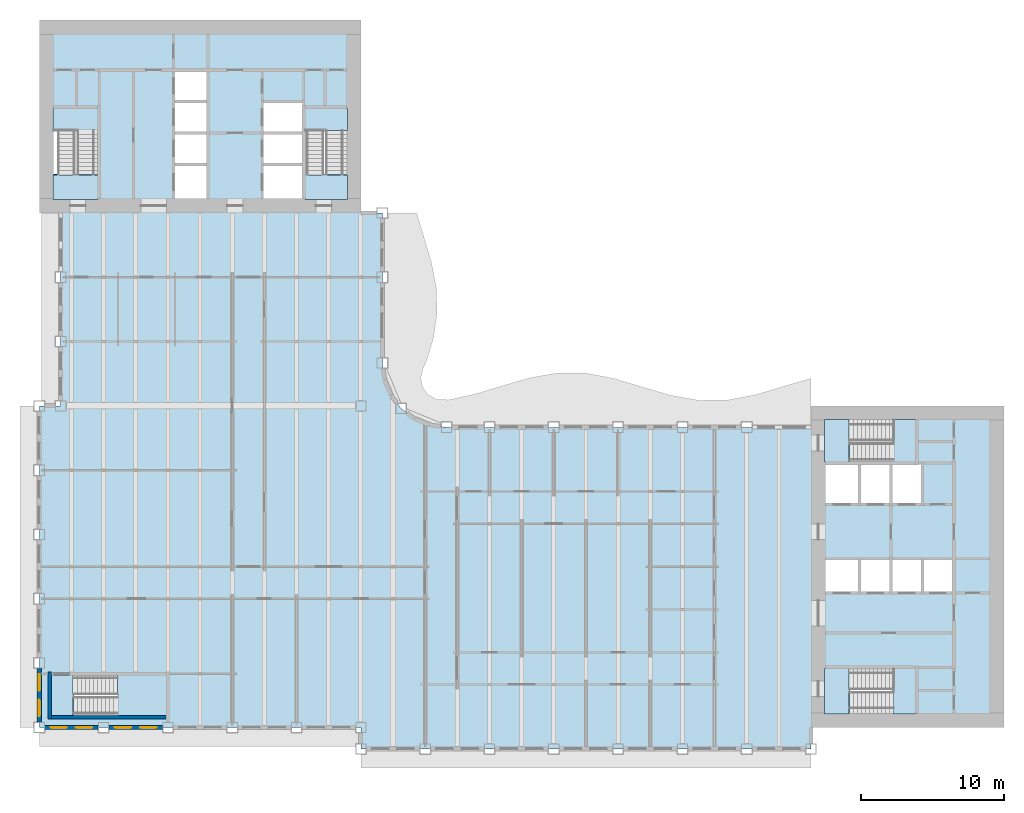
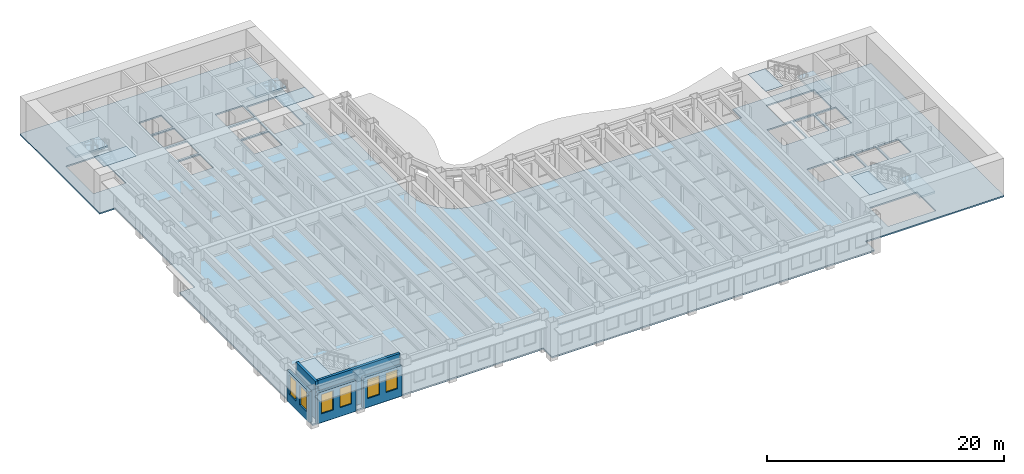
# One storey, part 2 of 16: 11 slabs, 6 windows, 5 walls, 6 openings, 5 elements without a shape of their own.
"""IFC4 building model written with IfcOpenShell, lengths in metres."""

from ifc_helpers import new_model, si_unit, direction, frame, frame_2d, origin, place, context, subcontext, project, spatial, polyline, rectangle, outline, extrude, material, layer, layer_set, type_object, element, fill, aggregate, save


model = new_model("IFC4")

# Units and contexts
model_context = context("Model", 3, precision=1e-05, world=origin(), true_north=direction((0.0, 1.0)))
body_context = subcontext(model_context, "Body", "Model", "MODEL_VIEW")
ifc_project = project(units=[si_unit("LENGTHUNIT", "METRE"), si_unit("AREAUNIT", "SQUARE_METRE"), si_unit("VOLUMEUNIT", "CUBIC_METRE"), si_unit("PLANEANGLEUNIT", "RADIAN"), si_unit("MASSUNIT", "GRAM", prefix="KILO")], contexts=[model_context])

# Site, building, storey
site_placement = place(None, origin())
site = spatial("IfcSite", under=ifc_project, at=site_placement, CompositionType="ELEMENT")
building_placement = place(site_placement, origin())
building = spatial("IfcBuilding", under=site, at=building_placement, Name="Sennacour Bend Tower", CompositionType="ELEMENT")
storey_placement = place(building_placement, frame((0.0, 0.0, 227.0)))
storey = spatial("IfcBuildingStorey", under=building, at=storey_placement, Name="L52", CompositionType="ELEMENT", Elevation=227.0)

# Slabs
ifc_material_1 = material(Name="Concrete C30/37", Category="concrete")
ifc_layer_1 = layer(ifc_material_1, 0.14990234375, Name="Concrete C30/37", Category="concrete")
ifc_layer_set_1 = layer_set([ifc_layer_1], Name="Concrete C30/37")
slab_type_1 = type_object("IfcSlabType", Name="Floor slab 150", PredefinedType="FLOOR", material=ifc_layer_set_1)
slab_1_placement = place(storey_placement, frame((0.0, 0.0, -0.14990234375)))
element("IfcSlab", 1, at=slab_1_placement, inside=storey, type_object=slab_type_1, Name="Floor slab L52-01", PredefinedType="FLOOR", context=body_context, shape_type="SweptSolid", body=[
    extrude(outline(polyline([(22.5, 0.0), (0.0, 0.0), (0.0, 22.5), (1.5, 22.5), (1.5, 36.0), (0.0, 36.0), (0.0, 49.5), (22.5, 49.5), (22.5, 36.0), (24.0, 36.0), (24.0, 25.5), (24.1533203125, 24.335205078125), (24.602783203125, 23.25), (25.318115234375, 22.318115234375), (26.25, 21.602783203125), (27.335205078125, 21.1533203125), (28.5, 21.0), (54.0, 21.0), (54.0, 22.5), (67.5, 22.5), (67.5, 0.0), (54.0, 0.0), (54.0, -1.5), (22.5, -1.5), (22.5, 0.0)]), holes=[polyline([(8.800048828125, 0.949951171875), (8.800048828125, 3.5), (2.429931640625, 3.5), (2.429931640625, 0.949951171875), (8.800048828125, 0.949951171875)]), polyline([(11.699951171875, 37.0), (11.699951171875, 39.300048828125), (9.5, 39.300048828125), (9.5, 37.0), (11.699951171875, 37.0)]), polyline([(18.39990234375, 37.0), (18.39990234375, 39.300048828125), (15.699951171875, 39.300048828125), (15.699951171875, 37.0), (18.39990234375, 37.0)]), polyline([(11.699951171875, 39.5), (11.699951171875, 41.5), (9.5, 41.5), (9.5, 39.5), (11.699951171875, 39.5)]), polyline([(18.39990234375, 39.5), (18.39990234375, 41.5), (15.699951171875, 41.5), (15.699951171875, 39.5), (18.39990234375, 39.5)]), polyline([(4.125, 38.72998046875), (4.125, 43.39990234375), (0.949951171875, 43.39990234375), (0.949951171875, 38.72998046875), (4.125, 38.72998046875)]), polyline([(21.550048828125, 38.72998046875), (21.550048828125, 43.39990234375), (18.574951171875, 43.39990234375), (18.574951171875, 38.72998046875), (21.550048828125, 38.72998046875)]), polyline([(9.5, 41.699951171875), (11.699951171875, 41.699951171875), (11.699951171875, 43.699951171875), (9.5, 43.699951171875), (9.5, 41.699951171875)]), polyline([(15.699951171875, 41.699951171875), (18.39990234375, 41.699951171875), (18.39990234375, 43.699951171875), (15.699951171875, 43.699951171875), (15.699951171875, 41.699951171875)]), polyline([(11.699951171875, 43.89990234375), (11.699951171875, 45.89990234375), (9.5, 45.89990234375), (9.5, 43.89990234375), (11.699951171875, 43.89990234375)]), polyline([(61.39990234375, 0.949951171875), (61.39990234375, 4.125), (56.72998046875, 4.125), (56.72998046875, 0.949951171875), (61.39990234375, 0.949951171875)]), polyline([(57.300048828125, 9.5), (57.300048828125, 11.699951171875), (55.0, 11.699951171875), (55.0, 9.5), (57.300048828125, 9.5)]), polyline([(57.5, 9.5), (59.5, 9.5), (59.5, 11.699951171875), (57.5, 11.699951171875), (57.5, 9.5)]), polyline([(59.699951171875, 9.5), (61.699951171875, 9.5), (61.699951171875, 11.699951171875), (59.699951171875, 11.699951171875), (59.699951171875, 9.5)]), polyline([(63.89990234375, 9.5), (63.89990234375, 11.699951171875), (61.89990234375, 11.699951171875), (61.89990234375, 9.5), (63.89990234375, 9.5)]), polyline([(57.300048828125, 15.699951171875), (57.300048828125, 18.39990234375), (55.0, 18.39990234375), (55.0, 15.699951171875), (57.300048828125, 15.699951171875)]), polyline([(59.5, 15.699951171875), (59.5, 18.39990234375), (57.5, 18.39990234375), (57.5, 15.699951171875), (59.5, 15.699951171875)]), polyline([(59.699951171875, 15.699951171875), (61.699951171875, 15.699951171875), (61.699951171875, 18.39990234375), (59.699951171875, 18.39990234375), (59.699951171875, 15.699951171875)]), polyline([(56.72998046875, 18.574951171875), (61.39990234375, 18.574951171875), (61.39990234375, 21.550048828125), (56.72998046875, 21.550048828125), (56.72998046875, 18.574951171875)])]), origin(), (0.0, 0.0, 1.0), 0.14990234375),
])
ifc_material_2 = material(Name="Concrete C40/50", Category="concrete")
ifc_layer_2 = layer(ifc_material_2, 0.034912109375, Name="Concrete C40/50", Category="concrete")
ifc_layer_set_2 = layer_set([ifc_layer_2], Name="Concrete C40/50")
slab_type_2 = type_object("IfcSlabType", Name="Stair arrival nib 35", PredefinedType="FLOOR", material=ifc_layer_set_2)
slab_2_placement = place(storey_placement, frame((0.0, 0.0, 3.815185546875)))
element("IfcSlab", 2, at=slab_2_placement, inside=storey, type_object=slab_type_2, Name="L52 SA1 stair arrival nib", PredefinedType="FLOOR", context=body_context, shape_type="SweptSolid", body=[
    extrude(outline(polyline([(56.64208984375, 4.125), (54.949951171875, 4.125), (54.949951171875, 0.949951171875), (56.64208984375, 0.949951171875), (56.64208984375, 4.125)])), origin(), (0.0, 0.0, 1.0), 0.034912109375),
])
slab_3_placement = place(storey_placement, frame((0.0, 0.0, 3.815185546875)))
element("IfcSlab", 3, at=slab_3_placement, inside=storey, type_object=slab_type_2, Name="L52 SA2 stair arrival nib", PredefinedType="FLOOR", context=body_context, shape_type="SweptSolid", body=[
    extrude(outline(polyline([(56.64208984375, 21.550048828125), (54.949951171875, 21.550048828125), (54.949951171875, 18.574951171875), (56.64208984375, 18.574951171875), (56.64208984375, 21.550048828125)])), origin(), (0.0, 0.0, 1.0), 0.034912109375),
])
slab_4_placement = place(storey_placement, frame((0.0, 0.0, 3.815185546875)))
element("IfcSlab", 4, at=slab_4_placement, inside=storey, type_object=slab_type_2, Name="L52 SB1 stair arrival nib", PredefinedType="FLOOR", context=body_context, shape_type="SweptSolid", body=[
    extrude(outline(polyline([(0.949951171875, 38.64208984375), (0.949951171875, 36.949951171875), (4.125, 36.949951171875), (4.125, 38.64208984375), (0.949951171875, 38.64208984375)])), origin(), (0.0, 0.0, 1.0), 0.034912109375),
])
slab_5_placement = place(storey_placement, frame((0.0, 0.0, 3.815185546875)))
element("IfcSlab", 5, at=slab_5_placement, inside=storey, type_object=slab_type_2, Name="L52 SB2 stair arrival nib", PredefinedType="FLOOR", context=body_context, shape_type="SweptSolid", body=[
    extrude(outline(polyline([(18.574951171875, 38.64208984375), (18.574951171875, 36.949951171875), (21.550048828125, 36.949951171875), (21.550048828125, 38.64208984375), (18.574951171875, 38.64208984375)])), origin(), (0.0, 0.0, 1.0), 0.034912109375),
])
slab_6_placement = place(storey_placement, frame((0.0, 0.0, 3.815185546875)))
element("IfcSlab", 6, at=slab_6_placement, inside=storey, type_object=slab_type_2, Name="L52 SK1 stair arrival nib", PredefinedType="FLOOR", context=body_context, shape_type="SweptSolid", body=[
    extrude(outline(polyline([(2.342041015625, 3.675048828125), (0.800048828125, 3.675048828125), (0.800048828125, 0.800048828125), (2.342041015625, 0.800048828125), (2.342041015625, 3.675048828125)])), origin(), (0.0, 0.0, 1.0), 0.034912109375),
])

# Stair, slab
stair_type = type_object("IfcStairType", Name="ST-DOGLEG", PredefinedType="HALF_TURN_STAIR", material=ifc_material_2)
stair_1_placement = place(storey_placement, origin())
stair_1 = element("IfcStair", 7, at=stair_1_placement, inside=storey, type_object=stair_type, Name="L52 Exit stair A1", PredefinedType="HALF_TURN_STAIR")
ifc_layer_3 = layer(ifc_material_2, 0.199951171875, Name="Concrete C40/50", Category="concrete")
ifc_layer_set_3 = layer_set([ifc_layer_3], Name="Concrete C40/50")
slab_type_3 = type_object("IfcSlabType", Name="Stair landing 200", PredefinedType="LANDING", material=ifc_layer_set_3)
slab_7_placement = place(storey_placement, frame((0.0, 0.0, 1.800048828125)))
slab_7 = element("IfcSlab", 8, at=slab_7_placement, type_object=slab_type_3, Name="SA1 landing 1", PredefinedType="LANDING", context=body_context, shape_type="SweptSolid", body=[
    extrude(outline(polyline([(59.780029296875, 0.949951171875), (61.324951171875, 0.949951171875), (61.324951171875, 4.125), (59.780029296875, 4.125), (59.780029296875, 0.949951171875)])), origin(), (0.0, 0.0, 1.0), 0.199951171875),
])
aggregate(stair_1, [slab_7])

stair_2_placement = place(storey_placement, origin())
stair_2 = element("IfcStair", 9, at=stair_2_placement, inside=storey, type_object=stair_type, Name="L52 Exit stair A2", PredefinedType="HALF_TURN_STAIR")
slab_8_placement = place(storey_placement, frame((0.0, 0.0, 1.800048828125)))
slab_8 = element("IfcSlab", 10, at=slab_8_placement, type_object=slab_type_3, Name="SA2 landing 1", PredefinedType="LANDING", context=body_context, shape_type="SweptSolid", body=[
    extrude(outline(polyline([(59.780029296875, 18.574951171875), (61.324951171875, 18.574951171875), (61.324951171875, 21.550048828125), (59.780029296875, 21.550048828125), (59.780029296875, 18.574951171875)])), origin(), (0.0, 0.0, 1.0), 0.199951171875),
])
aggregate(stair_2, [slab_8])

stair_3_placement = place(storey_placement, origin())
stair_3 = element("IfcStair", 11, at=stair_3_placement, inside=storey, type_object=stair_type, Name="L52 Exit stair B1", PredefinedType="HALF_TURN_STAIR")
slab_9_placement = place(storey_placement, frame((0.0, 0.0, 1.800048828125)))
slab_9 = element("IfcSlab", 12, at=slab_9_placement, type_object=slab_type_3, Name="SB1 landing 1", PredefinedType="LANDING", context=body_context, shape_type="SweptSolid", body=[
    extrude(outline(polyline([(0.949951171875, 41.780029296875), (4.125, 41.780029296875), (4.125, 43.324951171875), (0.949951171875, 43.324951171875), (0.949951171875, 41.780029296875)])), origin(), (0.0, 0.0, 1.0), 0.199951171875),
])
aggregate(stair_3, [slab_9])

stair_4_placement = place(storey_placement, origin())
stair_4 = element("IfcStair", 13, at=stair_4_placement, inside=storey, type_object=stair_type, Name="L52 Exit stair B2", PredefinedType="HALF_TURN_STAIR")
slab_10_placement = place(storey_placement, frame((0.0, 0.0, 1.800048828125)))
slab_10 = element("IfcSlab", 14, at=slab_10_placement, type_object=slab_type_3, Name="SB2 landing 1", PredefinedType="LANDING", context=body_context, shape_type="SweptSolid", body=[
    extrude(outline(polyline([(18.574951171875, 41.780029296875), (21.550048828125, 41.780029296875), (21.550048828125, 43.324951171875), (18.574951171875, 43.324951171875), (18.574951171875, 41.780029296875)])), origin(), (0.0, 0.0, 1.0), 0.199951171875),
])
aggregate(stair_4, [slab_10])

stair_5_placement = place(storey_placement, origin())
stair_5 = element("IfcStair", 15, at=stair_5_placement, inside=storey, type_object=stair_type, Name="L52 Exit stair K1", PredefinedType="HALF_TURN_STAIR")
slab_11_placement = place(storey_placement, frame((0.0, 0.0, 1.800048828125)))
slab_11 = element("IfcSlab", 16, at=slab_11_placement, type_object=slab_type_3, Name="SK1 landing 1", PredefinedType="LANDING", context=body_context, shape_type="SweptSolid", body=[
    extrude(outline(polyline([(5.47998046875, 0.800048828125), (8.925048828125, 0.800048828125), (8.925048828125, 3.675048828125), (5.47998046875, 3.675048828125), (5.47998046875, 0.800048828125)])), origin(), (0.0, 0.0, 1.0), 0.199951171875),
])
aggregate(stair_5, [slab_11])

# Wall, openings, windows
ifc_material_3 = material(Name="Warm limestone cladding", Category="masonry")
ifc_layer_4 = layer(ifc_material_3, 0.050048828125, Name="Warm limestone cladding", Category="masonry")
ifc_material_4 = material(Name="Precast concrete C40/50", Category="concrete")
ifc_layer_5 = layer(ifc_material_4, 0.25, Name="Precast concrete C40/50", Category="concrete")
ifc_layer_set_4 = layer_set([ifc_layer_4, ifc_layer_5], Name="Precast concrete C40/50 with limestone cladding")
wall_type_1 = type_object("IfcWallType", Name="STONE-CLAD PRECAST SPANDREL 300", PredefinedType="STANDARD", material=ifc_layer_set_4)
wall_1_placement = place(storey_placement, frame((0.0, 4.125, 0.0), z_axis=(0.0, 0.0, 1.0), x_axis=(0.0, -1.0, 0.0)))
wall_1 = element("IfcWall", 17, at=wall_1_placement, inside=storey, type_object=wall_type_1, Name="Stone spandrel and pier wall L52 21.04", PredefinedType="STANDARD", context=body_context, shape_type="SweptSolid", body=[
    extrude(rectangle(XDim=3.75, YDim=0.300048828125, at=frame_2d((1.875, 0.0))), origin(), (0.0, 0.0, 1.0), 3.156982421875),
])
opening_1_placement = place(wall_1_placement, frame((0.41259765625, 0.0, 0.89990234375)))
opening_1 = element("IfcOpeningElement", 18, at=opening_1_placement, cuts=wall_1, Name="Opening W24", PredefinedType="OPENING", context=body_context, shape_type="SweptSolid", body=[
    extrude(rectangle(XDim=1.14990234375, YDim=2.0, at=frame_2d((0.574951171875, 1.0))), frame((0.0, 0.16015625, 0.0), z_axis=(0.0, -1.0, 0.0), x_axis=(1.0, 0.0, 0.0)), (0.0, 0.0, 1.0), 0.320068359375),
])
opening_2_placement = place(wall_1_placement, frame((2.1875, 0.0, 0.89990234375)))
opening_2 = element("IfcOpeningElement", 19, at=opening_2_placement, cuts=wall_1, Name="Opening W24", PredefinedType="OPENING", context=body_context, shape_type="SweptSolid", body=[
    extrude(rectangle(XDim=1.14990234375, YDim=2.0, at=frame_2d((0.574951171875, 1.0))), frame((0.0, 0.16015625, 0.0), z_axis=(0.0, -1.0, 0.0), x_axis=(1.0, 0.0, 0.0)), (0.0, 0.0, 1.0), 0.320068359375),
])
ifc_material_5 = material(Name="Clear low-emissivity glass", Category="glass")
window_type = type_object("IfcWindowType", Name="WIN-RIBBON-1150x2000", PartitioningType="SINGLE_PANEL", PredefinedType="WINDOW", material=ifc_material_5)
window_1_placement = place(opening_1_placement, origin())
window_1 = element("IfcWindow", 20, at=window_1_placement, inside=storey, type_object=window_type, Name="Ribbon window L52 21.04.0", OverallHeight=2.0, OverallWidth=1.14990234375, PartitioningType="SINGLE_PANEL", PredefinedType="WINDOW", context=body_context, shape_type="SweptSolid", body=[
    extrude(rectangle(XDim=1.14990234375, YDim=2.0, at=frame_2d((0.574951171875, 1.0))), frame((0.0, 0.030029296875, 0.0), z_axis=(0.0, -1.0, 0.0), x_axis=(1.0, 0.0, 0.0)), (0.0, 0.0, 1.0), 0.06005859375),
])
fill(opening_1, window_1)
window_2_placement = place(opening_2_placement, origin())
window_2 = element("IfcWindow", 21, at=window_2_placement, inside=storey, type_object=window_type, Name="Ribbon window L52 21.04.1", OverallHeight=2.0, OverallWidth=1.14990234375, PartitioningType="SINGLE_PANEL", PredefinedType="WINDOW", context=body_context, shape_type="SweptSolid", body=[
    extrude(rectangle(XDim=1.14990234375, YDim=2.0, at=frame_2d((0.574951171875, 1.0))), frame((0.0, 0.030029296875, 0.0), z_axis=(0.0, -1.0, 0.0), x_axis=(1.0, 0.0, 0.0)), (0.0, 0.0, 1.0), 0.06005859375),
])
fill(opening_2, window_2)

wall_2_placement = place(storey_placement, frame((0.375, 0.0, 0.0), z_axis=(0.0, 0.0, 1.0), x_axis=(1.0, 0.0, 0.0)))
wall_2 = element("IfcWall", 22, at=wall_2_placement, inside=storey, type_object=wall_type_1, Name="Stone spandrel and pier wall L52 22.00", PredefinedType="STANDARD", context=body_context, shape_type="SweptSolid", body=[
    extrude(rectangle(XDim=3.75, YDim=0.300048828125, at=frame_2d((1.875, 0.0))), origin(), (0.0, 0.0, 1.0), 3.156982421875),
])
opening_3_placement = place(wall_2_placement, frame((0.41259765625, 0.0, 0.89990234375)))
opening_3 = element("IfcOpeningElement", 23, at=opening_3_placement, cuts=wall_2, Name="Opening W24", PredefinedType="OPENING", context=body_context, shape_type="SweptSolid", body=[
    extrude(rectangle(XDim=1.14990234375, YDim=2.0, at=frame_2d((0.574951171875, 1.0))), frame((0.0, 0.16015625, 0.0), z_axis=(0.0, -1.0, 0.0), x_axis=(1.0, 0.0, 0.0)), (0.0, 0.0, 1.0), 0.320068359375),
])
opening_4_placement = place(wall_2_placement, frame((2.1875, 0.0, 0.89990234375)))
opening_4 = element("IfcOpeningElement", 24, at=opening_4_placement, cuts=wall_2, Name="Opening W24", PredefinedType="OPENING", context=body_context, shape_type="SweptSolid", body=[
    extrude(rectangle(XDim=1.14990234375, YDim=2.0, at=frame_2d((0.574951171875, 1.0))), frame((0.0, 0.16015625, 0.0), z_axis=(0.0, -1.0, 0.0), x_axis=(1.0, 0.0, 0.0)), (0.0, 0.0, 1.0), 0.320068359375),
])
window_3_placement = place(opening_3_placement, origin())
window_3 = element("IfcWindow", 25, at=window_3_placement, inside=storey, type_object=window_type, Name="Ribbon window L52 22.00.0", OverallHeight=2.0, OverallWidth=1.14990234375, PartitioningType="SINGLE_PANEL", PredefinedType="WINDOW", context=body_context, shape_type="SweptSolid", body=[
    extrude(rectangle(XDim=1.14990234375, YDim=2.0, at=frame_2d((0.574951171875, 1.0))), frame((0.0, 0.030029296875, 0.0), z_axis=(0.0, -1.0, 0.0), x_axis=(1.0, 0.0, 0.0)), (0.0, 0.0, 1.0), 0.06005859375),
])
fill(opening_3, window_3)
window_4_placement = place(opening_4_placement, origin())
window_4 = element("IfcWindow", 26, at=window_4_placement, inside=storey, type_object=window_type, Name="Ribbon window L52 22.00.1", OverallHeight=2.0, OverallWidth=1.14990234375, PartitioningType="SINGLE_PANEL", PredefinedType="WINDOW", context=body_context, shape_type="SweptSolid", body=[
    extrude(rectangle(XDim=1.14990234375, YDim=2.0, at=frame_2d((0.574951171875, 1.0))), frame((0.0, 0.030029296875, 0.0), z_axis=(0.0, -1.0, 0.0), x_axis=(1.0, 0.0, 0.0)), (0.0, 0.0, 1.0), 0.06005859375),
])
fill(opening_4, window_4)

wall_3_placement = place(storey_placement, frame((4.875, 0.0, 0.0), z_axis=(0.0, 0.0, 1.0), x_axis=(1.0, 0.0, 0.0)))
wall_3 = element("IfcWall", 27, at=wall_3_placement, inside=storey, type_object=wall_type_1, Name="Stone spandrel and pier wall L52 22.01", PredefinedType="STANDARD", context=body_context, shape_type="SweptSolid", body=[
    extrude(rectangle(XDim=3.75, YDim=0.300048828125, at=frame_2d((1.875, 0.0))), origin(), (0.0, 0.0, 1.0), 3.156982421875),
])
opening_5_placement = place(wall_3_placement, frame((0.41259765625, 0.0, 0.89990234375)))
opening_5 = element("IfcOpeningElement", 28, at=opening_5_placement, cuts=wall_3, Name="Opening W24", PredefinedType="OPENING", context=body_context, shape_type="SweptSolid", body=[
    extrude(rectangle(XDim=1.14990234375, YDim=2.0, at=frame_2d((0.574951171875, 1.0))), frame((0.0, 0.16015625, 0.0), z_axis=(0.0, -1.0, 0.0), x_axis=(1.0, 0.0, 0.0)), (0.0, 0.0, 1.0), 0.320068359375),
])
opening_6_placement = place(wall_3_placement, frame((2.1875, 0.0, 0.89990234375)))
opening_6 = element("IfcOpeningElement", 29, at=opening_6_placement, cuts=wall_3, Name="Opening W24", PredefinedType="OPENING", context=body_context, shape_type="SweptSolid", body=[
    extrude(rectangle(XDim=1.14990234375, YDim=2.0, at=frame_2d((0.574951171875, 1.0))), frame((0.0, 0.16015625, 0.0), z_axis=(0.0, -1.0, 0.0), x_axis=(1.0, 0.0, 0.0)), (0.0, 0.0, 1.0), 0.320068359375),
])
window_5_placement = place(opening_5_placement, origin())
window_5 = element("IfcWindow", 30, at=window_5_placement, inside=storey, type_object=window_type, Name="Ribbon window L52 22.01.0", OverallHeight=2.0, OverallWidth=1.14990234375, PartitioningType="SINGLE_PANEL", PredefinedType="WINDOW", context=body_context, shape_type="SweptSolid", body=[
    extrude(rectangle(XDim=1.14990234375, YDim=2.0, at=frame_2d((0.574951171875, 1.0))), frame((0.0, 0.030029296875, 0.0), z_axis=(0.0, -1.0, 0.0), x_axis=(1.0, 0.0, 0.0)), (0.0, 0.0, 1.0), 0.06005859375),
])
fill(opening_5, window_5)
window_6_placement = place(opening_6_placement, origin())
window_6 = element("IfcWindow", 31, at=window_6_placement, inside=storey, type_object=window_type, Name="Ribbon window L52 22.01.1", OverallHeight=2.0, OverallWidth=1.14990234375, PartitioningType="SINGLE_PANEL", PredefinedType="WINDOW", context=body_context, shape_type="SweptSolid", body=[
    extrude(rectangle(XDim=1.14990234375, YDim=2.0, at=frame_2d((0.574951171875, 1.0))), frame((0.0, 0.030029296875, 0.0), z_axis=(0.0, -1.0, 0.0), x_axis=(1.0, 0.0, 0.0)), (0.0, 0.0, 1.0), 0.06005859375),
])
fill(opening_6, window_6)

# Walls
ifc_material_6 = material(Name="Concrete C60/75", Category="concrete")
ifc_layer_6 = layer(ifc_material_6, 0.25, Name="Concrete C60/75", Category="concrete")
ifc_layer_set_5 = layer_set([ifc_layer_6], Name="Concrete C60/75")
wall_type_2 = type_object("IfcWallType", Name="Stair wall 250", PredefinedType="SHEAR", material=ifc_layer_set_5)
wall_4_placement = place(storey_placement, frame((0.72509765625, 0.60009765625, 0.0), z_axis=(0.0, 0.0, 1.0), x_axis=(0.0, 1.0, 0.0)))
element("IfcWall", 32, at=wall_4_placement, inside=storey, type_object=wall_type_2, Name="P-L52-W002", PredefinedType="SHEAR", context=body_context, shape_type="SweptSolid", body=[
    extrude(rectangle(XDim=3.27490234375, YDim=0.25, at=frame_2d((1.637451171875, 0.0))), origin(), (0.0, 0.0, 1.0), 3.85009765625),
])
wall_5_placement = place(storey_placement, frame((0.85009765625, 0.72509765625, 0.0), z_axis=(0.0, 0.0, 1.0), x_axis=(1.0, 0.0, 0.0)))
element("IfcWall", 33, at=wall_5_placement, inside=storey, type_object=wall_type_2, Name="P-L52-W051", PredefinedType="SHEAR", context=body_context, shape_type="SweptSolid", body=[
    extrude(rectangle(XDim=8.02490234375, YDim=0.25, at=frame_2d((4.012451171875, 0.0))), origin(), (0.0, 0.0, 1.0), 3.85009765625),
])

save(model, "model.ifc")
